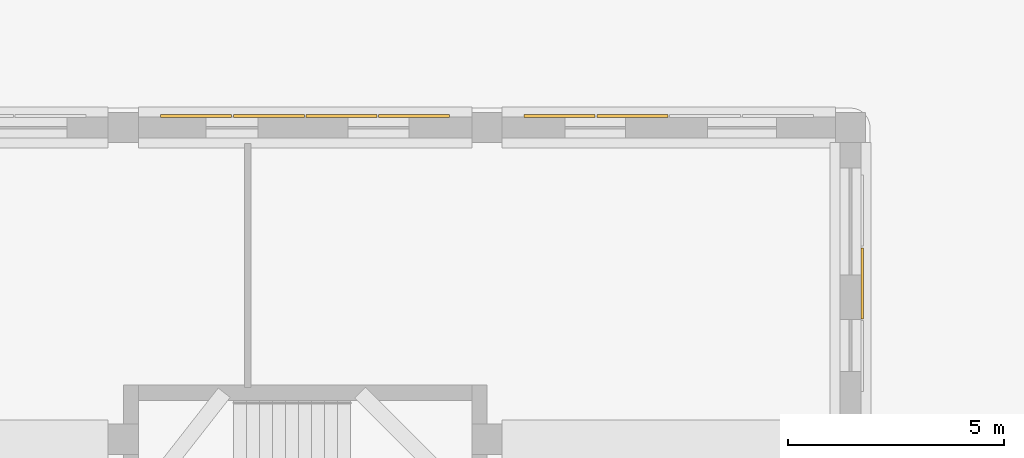
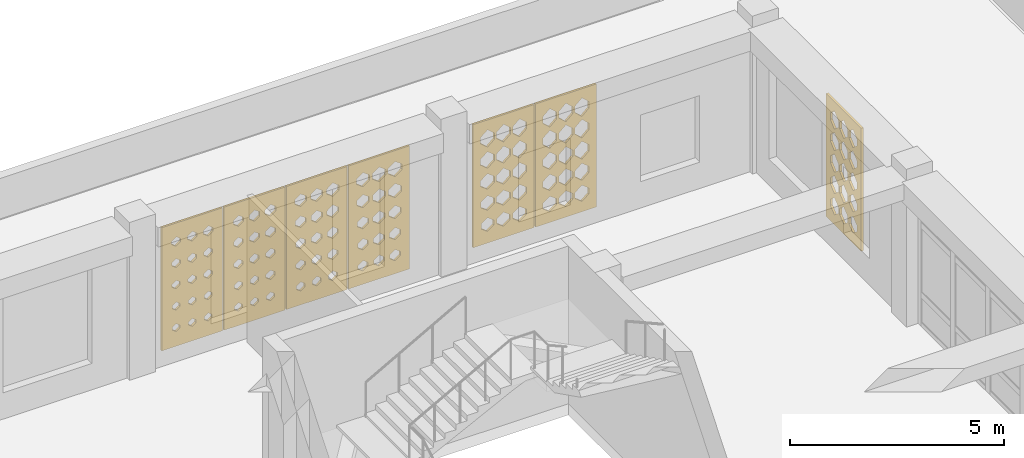
# One storey, part 96 of 100: 7 coverings.
"""IFC4 building model written with IfcOpenShell, lengths in metres."""

from ifc_helpers import new_model, si_unit, derived_unit, direction, frame, origin, place, context, subcontext, project, spatial, polyline, outline, extrude, material, layer, layer_set, type_object, element, save


model = new_model("IFC4")

# Units and contexts
model_context = context("Model", 3, precision=1e-05, world=origin(), true_north=direction((0.0, 1.0)))
body_context = subcontext(model_context, "Body", "Model", "MODEL_VIEW")
ifc_project = project(units=[si_unit("LENGTHUNIT", "METRE"), si_unit("AREAUNIT", "SQUARE_METRE"), si_unit("VOLUMEUNIT", "CUBIC_METRE"), si_unit("PLANEANGLEUNIT", "RADIAN"), si_unit("MASSUNIT", "GRAM", prefix="KILO"), derived_unit("THERMALTRANSMITTANCEUNIT", [(si_unit("POWERUNIT", "WATT"), 1), (si_unit("LENGTHUNIT", "METRE"), -2), (si_unit("THERMODYNAMICTEMPERATUREUNIT", "KELVIN"), -1)])], contexts=[model_context])

# Site, building, storey
site_placement = place(None, origin())
site = spatial("IfcSite", under=ifc_project, at=site_placement, CompositionType="ELEMENT")
building_placement = place(site_placement, origin())
building = spatial("IfcBuilding", under=site, at=building_placement, Name="Veybourne Emporium", CompositionType="ELEMENT")
storey_placement = place(building_placement, frame((0.0, 0.0, 14.39990234375)))
storey = spatial("IfcBuildingStorey", under=building, at=storey_placement, Name="L03", CompositionType="ELEMENT", Elevation=14.39990234375)

# Coverings
ifc_material = material(Name="Warm-White Perforated Aluminium Screen Alloy", Category="aluminium")
ifc_layer_1 = layer(ifc_material, 0.06005859375)
ifc_layer_set_1 = layer_set([ifc_layer_1], Name="Warm-White Perforated Aluminium Screen Alloy")
covering_type_1 = type_object("IfcCoveringType", Name="WaveScreen_SCR-01", PredefinedType="CLADDING", material=ifc_layer_set_1)
covering_1_placement = place(storey_placement, frame((77.280029296875, 101.09814453125, 1.815185546875), z_axis=(0.0, -1.0, 0.0), x_axis=(1.0, 0.0, 0.0)))
element("IfcCovering", 1, at=covering_1_placement, inside=storey, type_object=covering_type_1, Name="L03 wave-perforated aluminium screen SCR-01 (40.1)", PredefinedType="CLADDING", context=body_context, shape_type="SweptSolid", body=[
    extrude(outline(polyline([(-0.81982421875, -1.7548828125), (0.81982421875, -1.7548828125), (0.81982421875, 1.7548828125), (-0.81982421875, 1.7548828125), (-0.81982421875, -1.7548828125)]), holes=[polyline([(-0.433349609375, -1.11767578125), (-0.3330078125, -1.188232421875), (-0.3330078125, -1.267578125), (-0.433349609375, -1.33837890625), (-0.53369140625, -1.267578125), (-0.53369140625, -1.188232421875), (-0.433349609375, -1.11767578125)]), polyline([(-0.433349609375, -0.501220703125), (-0.3310546875, -0.573486328125), (-0.3310546875, -0.654541015625), (-0.433349609375, -0.726806640625), (-0.53564453125, -0.654541015625), (-0.53564453125, -0.573486328125), (-0.433349609375, -0.501220703125)]), polyline([(-0.433349609375, 0.11767578125), (-0.326904296875, 0.04248046875), (-0.326904296875, -0.04248046875), (-0.433349609375, -0.11767578125), (-0.539794921875, -0.04248046875), (-0.539794921875, 0.04248046875), (-0.433349609375, 0.11767578125)]), polyline([(-0.433349609375, 0.73876953125), (-0.3212890625, 0.658935546875), (-0.3212890625, 0.569091796875), (-0.433349609375, 0.4892578125), (-0.54541015625, 0.569091796875), (-0.54541015625, 0.658935546875), (-0.433349609375, 0.73876953125)]), polyline([(-0.433349609375, 1.36181640625), (-0.313720703125, 1.276123046875), (-0.313720703125, 1.1796875), (-0.433349609375, 1.093994140625), (-0.552978515625, 1.1796875), (-0.552978515625, 1.276123046875), (-0.433349609375, 1.36181640625)]), polyline([(0.0, -1.11669921875), (0.10107421875, -1.18798828125), (0.10107421875, -1.26806640625), (0.0, -1.339111328125), (-0.10107421875, -1.26806640625), (-0.10107421875, -1.18798828125), (0.0, -1.11669921875)]), polyline([(0.0, -0.499267578125), (0.10400390625, -0.57275390625), (0.10400390625, -0.6552734375), (0.0, -0.728759765625), (-0.10400390625, -0.6552734375), (-0.10400390625, -0.57275390625), (0.0, -0.499267578125)]), polyline([(0.0, 0.12060546875), (0.108642578125, 0.04345703125), (0.108642578125, -0.04345703125), (0.0, -0.12060546875), (-0.108642578125, -0.04345703125), (-0.108642578125, 0.04345703125), (0.0, 0.12060546875)]), polyline([(0.0, 0.74267578125), (0.115234375, 0.660400390625), (0.115234375, 0.567626953125), (0.0, 0.4853515625), (-0.115234375, 0.567626953125), (-0.115234375, 0.660400390625), (0.0, 0.74267578125)]), polyline([(0.0, 1.36669921875), (0.123291015625, 1.27783203125), (0.123291015625, 1.177978515625), (0.0, 1.08935546875), (-0.123291015625, 1.177978515625), (-0.123291015625, 1.27783203125), (0.0, 1.36669921875)]), polyline([(0.433349609375, -1.115478515625), (0.535400390625, -1.1875), (0.535400390625, -1.2685546875), (0.433349609375, -1.340576171875), (0.331298828125, -1.2685546875), (0.331298828125, -1.1875), (0.433349609375, -1.115478515625)]), polyline([(0.433349609375, -0.496826171875), (0.539306640625, -0.57177734375), (0.539306640625, -0.65625), (0.433349609375, -0.731201171875), (0.327392578125, -0.65625), (0.327392578125, -0.57177734375), (0.433349609375, -0.496826171875)]), polyline([(0.433349609375, 0.1240234375), (0.544921875, 0.044677734375), (0.544921875, -0.044677734375), (0.433349609375, -0.1240234375), (0.32177734375, -0.044677734375), (0.32177734375, 0.044677734375), (0.433349609375, 0.1240234375)]), polyline([(0.433349609375, 0.7470703125), (0.552001953125, 0.661865234375), (0.552001953125, 0.566162109375), (0.433349609375, 0.48095703125), (0.314697265625, 0.566162109375), (0.314697265625, 0.661865234375), (0.433349609375, 0.7470703125)]), polyline([(0.433349609375, 1.37158203125), (0.560791015625, 1.27978515625), (0.560791015625, 1.17626953125), (0.433349609375, 1.08447265625), (0.305908203125, 1.17626953125), (0.305908203125, 1.27978515625), (0.433349609375, 1.37158203125)])]), origin(), (0.0, 0.0, 1.0), 0.06005859375),
])
covering_2_placement = place(storey_placement, frame((87.360107421875, 101.09814453125, 1.815185546875), z_axis=(0.0, -1.0, 0.0), x_axis=(1.0, 0.0, 0.0)))
element("IfcCovering", 2, at=covering_2_placement, inside=storey, type_object=covering_type_1, Name="L03 wave-perforated aluminium screen SCR-01 (47.2)", PredefinedType="CLADDING", context=body_context, shape_type="SweptSolid", body=[
    extrude(outline(polyline([(-0.81982421875, -1.7548828125), (0.81982421875, -1.7548828125), (0.81982421875, 1.7548828125), (-0.81982421875, 1.7548828125), (-0.81982421875, -1.7548828125)]), holes=[polyline([(-0.433349609375, -1.00830078125), (-0.2470703125, -1.14892578125), (-0.2470703125, -1.30712890625), (-0.433349609375, -1.44775390625), (-0.61962890625, -1.30712890625), (-0.61962890625, -1.14892578125), (-0.433349609375, -1.00830078125)]), polyline([(-0.433349609375, -0.38134765625), (-0.2470703125, -0.5302734375), (-0.2470703125, -0.69775390625), (-0.433349609375, -0.8466796875), (-0.61962890625, -0.69775390625), (-0.61962890625, -0.5302734375), (-0.433349609375, -0.38134765625)]), polyline([(-0.433349609375, 0.244384765625), (-0.2470703125, 0.087890625), (-0.2470703125, -0.087890625), (-0.433349609375, -0.244384765625), (-0.61962890625, -0.087890625), (-0.61962890625, 0.087890625), (-0.433349609375, 0.244384765625)]), polyline([(-0.433349609375, 0.86865234375), (-0.2470703125, 0.705810546875), (-0.2470703125, 0.522216796875), (-0.433349609375, 0.359375), (-0.61962890625, 0.522216796875), (-0.61962890625, 0.705810546875), (-0.433349609375, 0.86865234375)]), polyline([(-0.433349609375, 1.490966796875), (-0.2470703125, 1.32275390625), (-0.2470703125, 1.13330078125), (-0.433349609375, 0.965087890625), (-0.61962890625, 1.13330078125), (-0.61962890625, 1.32275390625), (-0.433349609375, 1.490966796875)]), polyline([(0.0, -1.002197265625), (0.186279296875, -1.146728515625), (0.186279296875, -1.309326171875), (0.0, -1.45361328125), (-0.186279296875, -1.309326171875), (-0.186279296875, -1.146728515625), (0.0, -1.002197265625)]), polyline([(0.0, -0.3759765625), (0.186279296875, -0.5283203125), (0.186279296875, -0.69970703125), (0.0, -0.85205078125), (-0.186279296875, -0.69970703125), (-0.186279296875, -0.5283203125), (0.0, -0.3759765625)]), polyline([(0.0, 0.249267578125), (0.186279296875, 0.089599609375), (0.186279296875, -0.089599609375), (0.0, -0.249267578125), (-0.186279296875, -0.089599609375), (-0.186279296875, 0.089599609375), (0.0, 0.249267578125)]), polyline([(0.0, 0.87255859375), (0.186279296875, 0.70703125), (0.186279296875, 0.52099609375), (0.0, 0.35546875), (-0.186279296875, 0.52099609375), (-0.186279296875, 0.70703125), (0.0, 0.87255859375)]), polyline([(0.0, 1.491943359375), (0.186279296875, 1.322998046875), (0.186279296875, 1.133056640625), (0.0, 0.964111328125), (-0.186279296875, 1.133056640625), (-0.186279296875, 1.322998046875), (0.0, 1.491943359375)]), polyline([(0.433349609375, -0.99658203125), (0.61962890625, -1.144775390625), (0.61962890625, -1.311279296875), (0.433349609375, -1.45947265625), (0.2470703125, -1.311279296875), (0.2470703125, -1.144775390625), (0.433349609375, -0.99658203125)]), polyline([(0.433349609375, -0.37060546875), (0.61962890625, -0.5263671875), (0.61962890625, -0.70166015625), (0.433349609375, -0.857421875), (0.2470703125, -0.70166015625), (0.2470703125, -0.5263671875), (0.433349609375, -0.37060546875)]), polyline([(0.433349609375, 0.253662109375), (0.61962890625, 0.09130859375), (0.61962890625, -0.09130859375), (0.433349609375, -0.253662109375), (0.2470703125, -0.09130859375), (0.2470703125, 0.09130859375), (0.433349609375, 0.253662109375)]), polyline([(0.433349609375, 0.876220703125), (0.61962890625, 0.70849609375), (0.61962890625, 0.51953125), (0.433349609375, 0.351806640625), (0.2470703125, 0.51953125), (0.2470703125, 0.70849609375), (0.433349609375, 0.876220703125)]), polyline([(0.433349609375, 1.491943359375), (0.61962890625, 1.322998046875), (0.61962890625, 1.133056640625), (0.433349609375, 0.964111328125), (0.2470703125, 1.133056640625), (0.2470703125, 1.322998046875), (0.433349609375, 1.491943359375)])]), origin(), (0.0, 0.0, 1.0), 0.06005859375),
])
ifc_layer_2 = layer(ifc_material, 0.06005859375)
ifc_layer_set_2 = layer_set([ifc_layer_2], Name="Warm-White Perforated Aluminium Screen Alloy")
covering_type_2 = type_object("IfcCoveringType", Name="WaveScreen_SCR-02", PredefinedType="CLADDING", material=ifc_layer_set_2)
covering_3_placement = place(storey_placement, frame((78.9599609375, 101.09814453125, 1.815185546875), z_axis=(0.0, -1.0, 0.0), x_axis=(1.0, 0.0, 0.0)))
element("IfcCovering", 3, at=covering_3_placement, inside=storey, type_object=covering_type_2, Name="L03 wave-perforated aluminium screen SCR-02 (40.2)", PredefinedType="CLADDING", context=body_context, shape_type="SweptSolid", body=[
    extrude(outline(polyline([(-0.81982421875, -1.7548828125), (0.81982421875, -1.7548828125), (0.81982421875, 1.7548828125), (-0.81982421875, 1.7548828125), (-0.81982421875, -1.7548828125)]), holes=[polyline([(-0.433349609375, -1.111572265625), (-0.328125, -1.18603515625), (-0.328125, -1.27001953125), (-0.433349609375, -1.344482421875), (-0.53857421875, -1.27001953125), (-0.53857421875, -1.18603515625), (-0.433349609375, -1.111572265625)]), polyline([(-0.433349609375, -0.4912109375), (-0.32275390625, -0.56982421875), (-0.32275390625, -0.658203125), (-0.433349609375, -0.73681640625), (-0.5439453125, -0.658203125), (-0.5439453125, -0.56982421875), (-0.433349609375, -0.4912109375)]), polyline([(-0.433349609375, 0.131591796875), (-0.315673828125, 0.04736328125), (-0.315673828125, -0.04736328125), (-0.433349609375, -0.131591796875), (-0.55078125, -0.04736328125), (-0.55078125, 0.04736328125), (-0.433349609375, 0.131591796875)]), polyline([(-0.433349609375, 0.755859375), (-0.30712890625, 0.6650390625), (-0.30712890625, 0.56298828125), (-0.433349609375, 0.47216796875), (-0.5595703125, 0.56298828125), (-0.5595703125, 0.6650390625), (-0.433349609375, 0.755859375)]), polyline([(-0.433349609375, 1.3818359375), (-0.297607421875, 1.283447265625), (-0.297607421875, 1.172607421875), (-0.433349609375, 1.07421875), (-0.569091796875, 1.172607421875), (-0.569091796875, 1.283447265625), (-0.433349609375, 1.3818359375)]), polyline([(0.0, -1.10888671875), (0.107421875, -1.18505859375), (0.107421875, -1.27099609375), (0.0, -1.34716796875), (-0.107421875, -1.27099609375), (-0.107421875, -1.18505859375), (0.0, -1.10888671875)]), polyline([(0.0, -0.4873046875), (0.113525390625, -0.568359375), (0.113525390625, -0.65966796875), (0.0, -0.740478515625), (-0.113525390625, -0.65966796875), (-0.113525390625, -0.568359375), (0.0, -0.4873046875)]), polyline([(0.0, 0.135986328125), (0.121337890625, 0.049072265625), (0.121337890625, -0.049072265625), (0.0, -0.135986328125), (-0.121337890625, -0.049072265625), (-0.121337890625, 0.049072265625), (0.0, 0.135986328125)]), polyline([(0.0, 0.76123046875), (0.13037109375, 0.6669921875), (0.13037109375, 0.56103515625), (0.0, 0.466796875), (-0.13037109375, 0.56103515625), (-0.13037109375, 0.6669921875), (0.0, 0.76123046875)]), polyline([(0.0, 1.3876953125), (0.140625, 1.285400390625), (0.140625, 1.17041015625), (0.0, 1.068359375), (-0.140625, 1.17041015625), (-0.140625, 1.285400390625), (0.0, 1.3876953125)]), polyline([(0.433349609375, -1.105712890625), (0.543212890625, -1.18408203125), (0.543212890625, -1.27197265625), (0.433349609375, -1.35009765625), (0.3232421875, -1.27197265625), (0.3232421875, -1.18408203125), (0.433349609375, -1.105712890625)]), polyline([(0.433349609375, -0.4833984375), (0.55029296875, -0.56689453125), (0.55029296875, -0.660888671875), (0.433349609375, -0.74462890625), (0.31640625, -0.660888671875), (0.31640625, -0.56689453125), (0.433349609375, -0.4833984375)]), polyline([(0.433349609375, 0.140869140625), (0.55859375, 0.05078125), (0.55859375, -0.05078125), (0.433349609375, -0.140869140625), (0.30810546875, -0.05078125), (0.30810546875, 0.05078125), (0.433349609375, 0.140869140625)]), polyline([(0.433349609375, 0.7666015625), (0.568115234375, 0.6689453125), (0.568115234375, 0.55908203125), (0.433349609375, 0.461181640625), (0.29833984375, 0.55908203125), (0.29833984375, 0.6689453125), (0.433349609375, 0.7666015625)]), polyline([(0.433349609375, 1.3935546875), (0.578857421875, 1.28759765625), (0.578857421875, 1.16845703125), (0.433349609375, 1.0625), (0.287841796875, 1.16845703125), (0.287841796875, 1.28759765625), (0.433349609375, 1.3935546875)])]), origin(), (0.0, 0.0, 1.0), 0.06005859375),
])
ifc_layer_3 = layer(ifc_material, 0.06005859375)
ifc_layer_set_3 = layer_set([ifc_layer_3], Name="Warm-White Perforated Aluminium Screen Alloy")
covering_type_3 = type_object("IfcCoveringType", Name="WaveScreen_SCR-03", PredefinedType="CLADDING", material=ifc_layer_set_3)
covering_4_placement = place(storey_placement, frame((80.639892578125, 101.09814453125, 1.815185546875), z_axis=(0.0, -1.0, 0.0), x_axis=(1.0, 0.0, 0.0)))
element("IfcCovering", 4, at=covering_4_placement, inside=storey, type_object=covering_type_3, Name="L03 wave-perforated aluminium screen SCR-03 (40.3)", PredefinedType="CLADDING", context=body_context, shape_type="SweptSolid", body=[
    extrude(outline(polyline([(-0.81982421875, -1.7548828125), (0.81982421875, -1.7548828125), (0.81982421875, 1.7548828125), (-0.81982421875, 1.7548828125), (-0.81982421875, -1.7548828125)]), holes=[polyline([(-0.433349609375, -1.0986328125), (-0.317626953125, -1.181396484375), (-0.317626953125, -1.2744140625), (-0.433349609375, -1.357421875), (-0.549072265625, -1.2744140625), (-0.549072265625, -1.181396484375), (-0.433349609375, -1.0986328125)]), polyline([(-0.433349609375, -0.474609375), (-0.309326171875, -0.56396484375), (-0.309326171875, -0.6640625), (-0.433349609375, -0.75341796875), (-0.557373046875, -0.6640625), (-0.557373046875, -0.56396484375), (-0.433349609375, -0.474609375)]), polyline([(-0.433349609375, 0.15087890625), (-0.2998046875, 0.05419921875), (-0.2998046875, -0.05419921875), (-0.433349609375, -0.15087890625), (-0.566650390625, -0.05419921875), (-0.566650390625, 0.05419921875), (-0.433349609375, 0.15087890625)]), polyline([(-0.433349609375, 0.777587890625), (-0.28955078125, 0.6728515625), (-0.28955078125, 0.55517578125), (-0.433349609375, 0.450439453125), (-0.5771484375, 0.55517578125), (-0.5771484375, 0.6728515625), (-0.433349609375, 0.777587890625)]), polyline([(-0.433349609375, 1.4052734375), (-0.2783203125, 1.291748046875), (-0.2783203125, 1.164306640625), (-0.433349609375, 1.05078125), (-0.58837890625, 1.164306640625), (-0.58837890625, 1.291748046875), (-0.433349609375, 1.4052734375)]), polyline([(0.0, -1.094482421875), (0.119384765625, -1.179931640625), (0.119384765625, -1.276123046875), (0.0, -1.361572265625), (-0.119384765625, -1.276123046875), (-0.119384765625, -1.179931640625), (0.0, -1.094482421875)]), polyline([(0.0, -0.4697265625), (0.128173828125, -0.56201171875), (0.128173828125, -0.666015625), (0.0, -0.75830078125), (-0.128173828125, -0.666015625), (-0.128173828125, -0.56201171875), (0.0, -0.4697265625)]), polyline([(0.0, 0.156494140625), (0.13818359375, 0.056396484375), (0.13818359375, -0.056396484375), (0.0, -0.156494140625), (-0.13818359375, -0.056396484375), (-0.13818359375, 0.056396484375), (0.0, 0.156494140625)]), polyline([(0.0, 0.78369140625), (0.14892578125, 0.675048828125), (0.14892578125, 0.552978515625), (0.0, 0.4443359375), (-0.14892578125, 0.552978515625), (-0.14892578125, 0.675048828125), (0.0, 0.78369140625)]), polyline([(0.0, 1.41162109375), (0.16015625, 1.294189453125), (0.16015625, 1.161865234375), (0.0, 1.04443359375), (-0.16015625, 1.161865234375), (-0.16015625, 1.294189453125), (0.0, 1.41162109375)]), polyline([(0.433349609375, -1.089599609375), (0.556396484375, -1.17822265625), (0.556396484375, -1.27783203125), (0.433349609375, -1.3662109375), (0.310302734375, -1.27783203125), (0.310302734375, -1.17822265625), (0.433349609375, -1.089599609375)]), polyline([(0.433349609375, -0.46435546875), (0.56591796875, -0.56005859375), (0.56591796875, -0.66796875), (0.433349609375, -0.763671875), (0.30078125, -0.66796875), (0.30078125, -0.56005859375), (0.433349609375, -0.46435546875)]), polyline([(0.433349609375, 0.162353515625), (0.576171875, 0.05859375), (0.576171875, -0.05859375), (0.433349609375, -0.162353515625), (0.29052734375, -0.05859375), (0.29052734375, 0.05859375), (0.433349609375, 0.162353515625)]), polyline([(0.433349609375, 0.7900390625), (0.58740234375, 0.677490234375), (0.58740234375, 0.550537109375), (0.433349609375, 0.43798828125), (0.279296875, 0.550537109375), (0.279296875, 0.677490234375), (0.433349609375, 0.7900390625)]), polyline([(0.433349609375, 1.418212890625), (0.598876953125, 1.29638671875), (0.598876953125, 1.15966796875), (0.433349609375, 1.037841796875), (0.267822265625, 1.15966796875), (0.267822265625, 1.29638671875), (0.433349609375, 1.418212890625)])]), origin(), (0.0, 0.0, 1.0), 0.06005859375),
])
ifc_layer_4 = layer(ifc_material, 0.06005859375)
ifc_layer_set_4 = layer_set([ifc_layer_4], Name="Warm-White Perforated Aluminium Screen Alloy")
covering_type_4 = type_object("IfcCoveringType", Name="WaveScreen_SCR-04", PredefinedType="CLADDING", material=ifc_layer_set_4)
covering_5_placement = place(storey_placement, frame((82.320068359375, 101.09814453125, 1.815185546875), z_axis=(0.0, -1.0, 0.0), x_axis=(1.0, 0.0, 0.0)))
element("IfcCovering", 5, at=covering_5_placement, inside=storey, type_object=covering_type_4, Name="L03 wave-perforated aluminium screen SCR-04 (40.4)", PredefinedType="CLADDING", context=body_context, shape_type="SweptSolid", body=[
    extrude(outline(polyline([(-0.81982421875, -1.7548828125), (0.81982421875, -1.7548828125), (0.81982421875, 1.7548828125), (-0.81982421875, 1.7548828125), (-0.81982421875, -1.7548828125)]), holes=[polyline([(-0.433349609375, -1.080078125), (-0.30224609375, -1.1748046875), (-0.30224609375, -1.28125), (-0.433349609375, -1.3759765625), (-0.564453125, -1.28125), (-0.564453125, -1.1748046875), (-0.433349609375, -1.080078125)]), polyline([(-0.433349609375, -0.45361328125), (-0.2919921875, -0.55615234375), (-0.2919921875, -0.671875), (-0.433349609375, -0.7744140625), (-0.57470703125, -0.671875), (-0.57470703125, -0.55615234375), (-0.433349609375, -0.45361328125)]), polyline([(-0.433349609375, 0.173828125), (-0.281005859375, 0.0625), (-0.281005859375, -0.0625), (-0.433349609375, -0.173828125), (-0.585693359375, -0.0625), (-0.585693359375, 0.0625), (-0.433349609375, 0.173828125)]), polyline([(-0.433349609375, 0.802001953125), (-0.26953125, 0.681640625), (-0.26953125, 0.54638671875), (-0.433349609375, 0.426025390625), (-0.59716796875, 0.54638671875), (-0.59716796875, 0.681640625), (-0.433349609375, 0.802001953125)]), polyline([(-0.433349609375, 1.43017578125), (-0.258056640625, 1.30078125), (-0.258056640625, 1.1552734375), (-0.433349609375, 1.02587890625), (-0.608642578125, 1.1552734375), (-0.608642578125, 1.30078125), (-0.433349609375, 1.43017578125)]), polyline([(0.0, -1.074462890625), (0.135498046875, -1.1728515625), (0.135498046875, -1.283203125), (0.0, -1.381591796875), (-0.135498046875, -1.283203125), (-0.135498046875, -1.1728515625), (0.0, -1.074462890625)]), polyline([(0.0, -0.447509765625), (0.146240234375, -0.55419921875), (0.146240234375, -0.673828125), (0.0, -0.780517578125), (-0.146240234375, -0.673828125), (-0.146240234375, -0.55419921875), (0.0, -0.447509765625)]), polyline([(0.0, 0.18017578125), (0.157470703125, 0.06494140625), (0.157470703125, -0.06494140625), (0.0, -0.18017578125), (-0.157470703125, -0.06494140625), (-0.157470703125, 0.06494140625), (0.0, 0.18017578125)]), polyline([(0.0, 0.808349609375), (0.1689453125, 0.68408203125), (0.1689453125, 0.5439453125), (0.0, 0.419677734375), (-0.1689453125, 0.5439453125), (-0.1689453125, 0.68408203125), (0.0, 0.808349609375)]), polyline([(0.0, 1.4365234375), (0.1806640625, 1.302978515625), (0.1806640625, 1.153076171875), (0.0, 1.01953125), (-0.1806640625, 1.153076171875), (-0.1806640625, 1.302978515625), (0.0, 1.4365234375)]), polyline([(0.433349609375, -1.06884765625), (0.573486328125, -1.170654296875), (0.573486328125, -1.285400390625), (0.433349609375, -1.38720703125), (0.29296875, -1.285400390625), (0.29296875, -1.170654296875), (0.433349609375, -1.06884765625)]), polyline([(0.433349609375, -0.44140625), (0.584716796875, -0.5517578125), (0.584716796875, -0.67626953125), (0.433349609375, -0.78662109375), (0.281982421875, -0.67626953125), (0.281982421875, -0.5517578125), (0.433349609375, -0.44140625)]), polyline([(0.433349609375, 0.1865234375), (0.595947265625, 0.067138671875), (0.595947265625, -0.067138671875), (0.433349609375, -0.1865234375), (0.2705078125, -0.067138671875), (0.2705078125, 0.067138671875), (0.433349609375, 0.1865234375)]), polyline([(0.433349609375, 0.814697265625), (0.607666015625, 0.686279296875), (0.607666015625, 0.541748046875), (0.433349609375, 0.4130859375), (0.259033203125, 0.541748046875), (0.259033203125, 0.686279296875), (0.433349609375, 0.814697265625)]), polyline([(0.433349609375, 1.442626953125), (0.618896484375, 1.305419921875), (0.618896484375, 1.150634765625), (0.433349609375, 1.01318359375), (0.24755859375, 1.150634765625), (0.24755859375, 1.305419921875), (0.433349609375, 1.442626953125)])]), origin(), (0.0, 0.0, 1.0), 0.06005859375),
])
covering_6_placement = place(storey_placement, frame((92.697998046875, 97.199951171875, 1.815185546875), z_axis=(-1.0, 0.0, 0.0), x_axis=(0.0, -1.0, 0.0)))
element("IfcCovering", 6, at=covering_6_placement, inside=storey, type_object=covering_type_4, Name="L03 wave-perforated aluminium screen SCR-04 (46.2)", PredefinedType="CLADDING", context=body_context, shape_type="SweptSolid", body=[
    extrude(outline(polyline([(-0.81982421875, -1.7548828125), (0.81982421875, -1.7548828125), (0.81982421875, 1.7548828125), (-0.81982421875, 1.7548828125), (-0.81982421875, -1.7548828125)]), holes=[polyline([(-0.433349609375, -0.979248046875), (-0.2470703125, -1.138427734375), (-0.2470703125, -1.317626953125), (-0.433349609375, -1.476806640625), (-0.61962890625, -1.317626953125), (-0.61962890625, -1.138427734375), (-0.433349609375, -0.979248046875)]), polyline([(-0.433349609375, -0.355712890625), (-0.2470703125, -0.52099609375), (-0.2470703125, -0.70703125), (-0.433349609375, -0.872314453125), (-0.61962890625, -0.70703125), (-0.61962890625, -0.52099609375), (-0.433349609375, -0.355712890625)]), polyline([(-0.433349609375, 0.263916015625), (-0.2470703125, 0.094970703125), (-0.2470703125, -0.094970703125), (-0.433349609375, -0.263916015625), (-0.61962890625, -0.094970703125), (-0.61962890625, 0.094970703125), (-0.433349609375, 0.263916015625)]), polyline([(-0.433349609375, 0.8779296875), (-0.2470703125, 0.708984375), (-0.2470703125, 0.51904296875), (-0.433349609375, 0.35009765625), (-0.61962890625, 0.51904296875), (-0.61962890625, 0.708984375), (-0.433349609375, 0.8779296875)]), polyline([(-0.433349609375, 1.491943359375), (-0.2470703125, 1.322998046875), (-0.2470703125, 1.133056640625), (-0.433349609375, 0.964111328125), (-0.61962890625, 1.133056640625), (-0.61962890625, 1.322998046875), (-0.433349609375, 1.491943359375)]), polyline([(0.0, -0.98388671875), (0.186279296875, -1.14013671875), (0.186279296875, -1.31591796875), (0.0, -1.471923828125), (-0.186279296875, -1.31591796875), (-0.186279296875, -1.14013671875), (0.0, -0.98388671875)]), polyline([(0.0, -0.35986328125), (0.186279296875, -0.5224609375), (0.186279296875, -0.70556640625), (0.0, -0.8681640625), (-0.186279296875, -0.70556640625), (-0.186279296875, -0.5224609375), (0.0, -0.35986328125)]), polyline([(0.0, 0.2626953125), (0.186279296875, 0.094482421875), (0.186279296875, -0.094482421875), (0.0, -0.2626953125), (-0.186279296875, -0.094482421875), (-0.186279296875, 0.094482421875), (0.0, 0.2626953125)]), polyline([(0.0, 0.8779296875), (0.186279296875, 0.708984375), (0.186279296875, 0.51904296875), (0.0, 0.35009765625), (-0.186279296875, 0.51904296875), (-0.186279296875, 0.708984375), (0.0, 0.8779296875)]), polyline([(0.0, 1.491943359375), (0.186279296875, 1.322998046875), (0.186279296875, 1.133056640625), (0.0, 0.964111328125), (-0.186279296875, 1.133056640625), (-0.186279296875, 1.322998046875), (0.0, 1.491943359375)]), polyline([(0.433349609375, -0.9892578125), (0.61962890625, -1.14208984375), (0.61962890625, -1.31396484375), (0.433349609375, -1.466796875), (0.2470703125, -1.31396484375), (0.2470703125, -1.14208984375), (0.433349609375, -0.9892578125)]), polyline([(0.433349609375, -0.3642578125), (0.61962890625, -0.524169921875), (0.61962890625, -0.703857421875), (0.433349609375, -0.86376953125), (0.2470703125, -0.703857421875), (0.2470703125, -0.524169921875), (0.433349609375, -0.3642578125)]), polyline([(0.433349609375, 0.259033203125), (0.61962890625, 0.09326171875), (0.61962890625, -0.09326171875), (0.433349609375, -0.259033203125), (0.2470703125, -0.09326171875), (0.2470703125, 0.09326171875), (0.433349609375, 0.259033203125)]), polyline([(0.433349609375, 0.8779296875), (0.61962890625, 0.708984375), (0.61962890625, 0.51904296875), (0.433349609375, 0.35009765625), (0.2470703125, 0.51904296875), (0.2470703125, 0.708984375), (0.433349609375, 0.8779296875)]), polyline([(0.433349609375, 1.491943359375), (0.61962890625, 1.322998046875), (0.61962890625, 1.133056640625), (0.433349609375, 0.964111328125), (0.2470703125, 1.133056640625), (0.2470703125, 1.322998046875), (0.433349609375, 1.491943359375)])]), origin(), (0.0, 0.0, 1.0), 0.06005859375),
])
covering_7_placement = place(storey_placement, frame((85.679931640625, 101.09814453125, 1.815185546875), z_axis=(0.0, -1.0, 0.0), x_axis=(1.0, 0.0, 0.0)))
element("IfcCovering", 7, at=covering_7_placement, inside=storey, type_object=covering_type_4, Name="L03 wave-perforated aluminium screen SCR-04 (47.1)", PredefinedType="CLADDING", context=body_context, shape_type="SweptSolid", body=[
    extrude(outline(polyline([(-0.81982421875, -1.7548828125), (0.81982421875, -1.7548828125), (0.81982421875, 1.7548828125), (-0.81982421875, 1.7548828125), (-0.81982421875, -1.7548828125)]), holes=[polyline([(-0.433349609375, -1.03271484375), (-0.263427734375, -1.15771484375), (-0.263427734375, -1.29833984375), (-0.433349609375, -1.42333984375), (-0.60302734375, -1.29833984375), (-0.60302734375, -1.15771484375), (-0.433349609375, -1.03271484375)]), polyline([(-0.433349609375, -0.404541015625), (-0.251953125, -0.53857421875), (-0.251953125, -0.689453125), (-0.433349609375, -0.823486328125), (-0.614501953125, -0.689453125), (-0.614501953125, -0.53857421875), (-0.433349609375, -0.404541015625)]), polyline([(-0.433349609375, 0.222900390625), (-0.2470703125, 0.080322265625), (-0.2470703125, -0.080322265625), (-0.433349609375, -0.222900390625), (-0.61962890625, -0.080322265625), (-0.61962890625, 0.080322265625), (-0.433349609375, 0.222900390625)]), polyline([(-0.433349609375, 0.849609375), (-0.2470703125, 0.69873046875), (-0.2470703125, 0.529296875), (-0.433349609375, 0.37841796875), (-0.61962890625, 0.529296875), (-0.61962890625, 0.69873046875), (-0.433349609375, 0.849609375)]), polyline([(-0.433349609375, 1.47509765625), (-0.2470703125, 1.31689453125), (-0.2470703125, 1.13916015625), (-0.433349609375, 0.98095703125), (-0.61962890625, 1.13916015625), (-0.61962890625, 1.31689453125), (-0.433349609375, 1.47509765625)]), polyline([(0.0, -1.0263671875), (0.175048828125, -1.155517578125), (0.175048828125, -1.300537109375), (0.0, -1.4296875), (-0.175048828125, -1.300537109375), (-0.175048828125, -1.155517578125), (0.0, -1.0263671875)]), polyline([(0.0, -0.3984375), (0.186279296875, -0.536376953125), (0.186279296875, -0.691650390625), (0.0, -0.82958984375), (-0.186279296875, -0.691650390625), (-0.186279296875, -0.536376953125), (0.0, -0.3984375)]), polyline([(0.0, 0.228759765625), (0.186279296875, 0.08251953125), (0.186279296875, -0.08251953125), (0.0, -0.228759765625), (-0.186279296875, -0.08251953125), (-0.186279296875, 0.08251953125), (0.0, 0.228759765625)]), polyline([(0.0, 0.85498046875), (0.186279296875, 0.70068359375), (0.186279296875, 0.52734375), (0.0, 0.373046875), (-0.186279296875, 0.52734375), (-0.186279296875, 0.70068359375), (0.0, 0.85498046875)]), polyline([(0.0, 1.479736328125), (0.186279296875, 1.318603515625), (0.186279296875, 1.137451171875), (0.0, 0.976318359375), (-0.186279296875, 1.137451171875), (-0.186279296875, 1.318603515625), (0.0, 1.479736328125)]), polyline([(0.433349609375, -1.02001953125), (0.613525390625, -1.153076171875), (0.613525390625, -1.302978515625), (0.433349609375, -1.43603515625), (0.253173828125, -1.302978515625), (0.253173828125, -1.153076171875), (0.433349609375, -1.02001953125)]), polyline([(0.433349609375, -0.392333984375), (0.61962890625, -0.5341796875), (0.61962890625, -0.69384765625), (0.433349609375, -0.835693359375), (0.2470703125, -0.69384765625), (0.2470703125, -0.5341796875), (0.433349609375, -0.392333984375)]), polyline([(0.433349609375, 0.234619140625), (0.61962890625, 0.08447265625), (0.61962890625, -0.08447265625), (0.433349609375, -0.234619140625), (0.2470703125, -0.08447265625), (0.2470703125, 0.08447265625), (0.433349609375, 0.234619140625)]), polyline([(0.433349609375, 0.860107421875), (0.61962890625, 0.70263671875), (0.61962890625, 0.525390625), (0.433349609375, 0.367919921875), (0.2470703125, 0.525390625), (0.2470703125, 0.70263671875), (0.433349609375, 0.860107421875)]), polyline([(0.433349609375, 1.48388671875), (0.61962890625, 1.320068359375), (0.61962890625, 1.135986328125), (0.433349609375, 0.971923828125), (0.2470703125, 1.135986328125), (0.2470703125, 1.320068359375), (0.433349609375, 1.48388671875)])]), origin(), (0.0, 0.0, 1.0), 0.06005859375),
])

save(model, "model.ifc")
